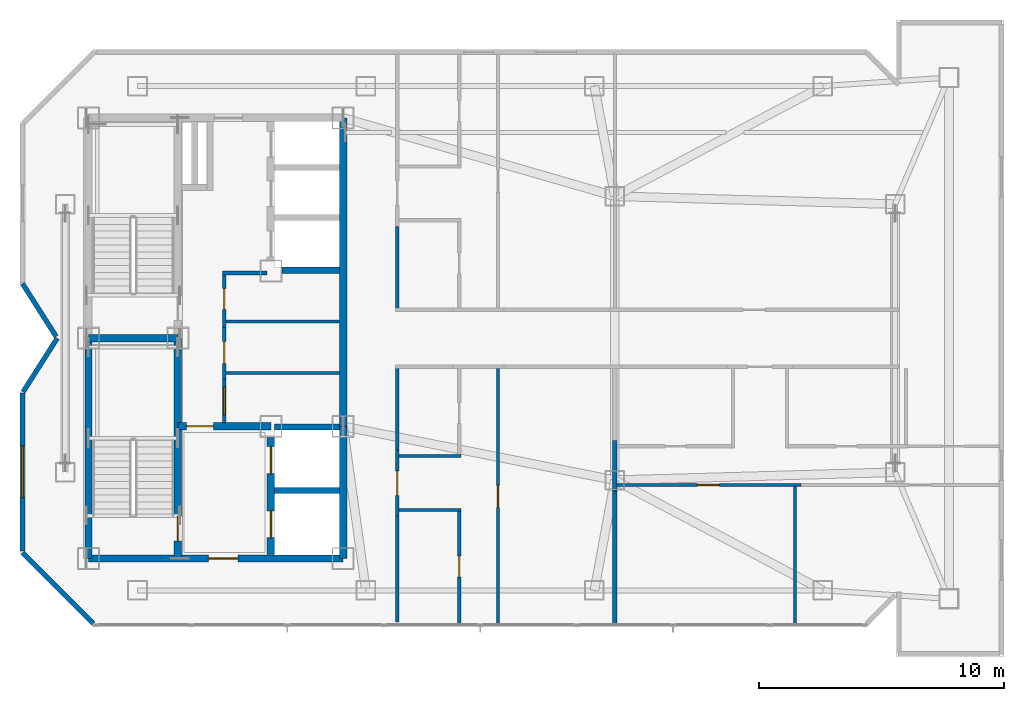
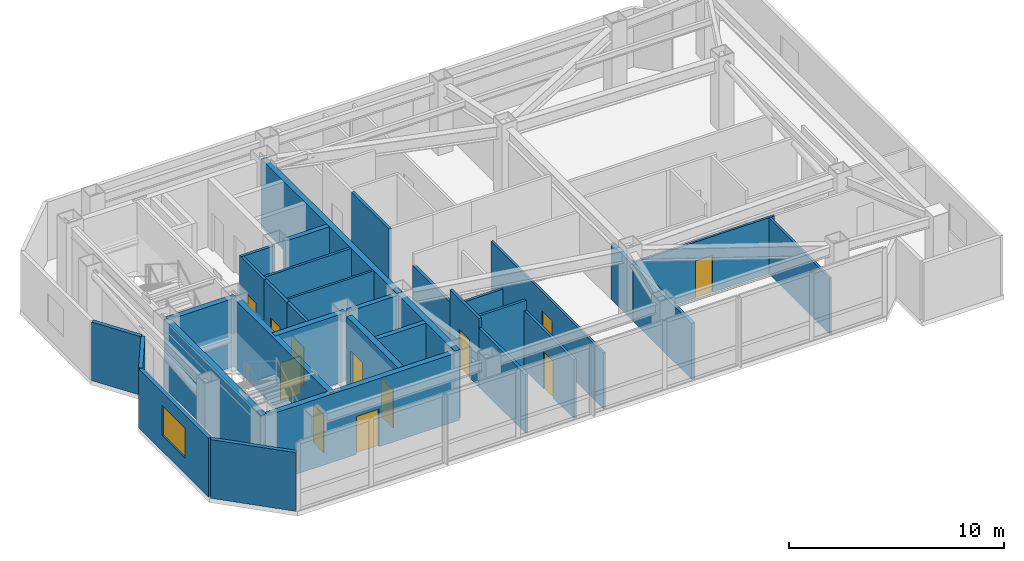
# One storey, part 9 of 12: 33 walls, 12 doors, 1 window, 13 openings.
"""IFC4 building model written with IfcOpenShell, lengths in metres."""

import ifcopenshell
import ifcopenshell.guid

model = None  # the IFC model being written
_history = None  # IfcOwnerHistory: only IFC2X3 demands one
_inside = {}  # id of a spatial element -> (the spatial element, [elements in it])
_under = {}  # id of a project, library or spatial element -> (it, [spatial elements below it])
_declared = {}  # id of a project -> (the project, [libraries it declares])
_typed = {}  # id of a type object -> (the type object, [elements of that type])
_made_of = {}  # id of a material, layer set ... -> (it, [elements and type objects made of it])


def new_model(schema):
    """Start an empty IFC model of exactly this schema.

    Asked for "IFC4X3", IfcOpenShell would pick the latest addendum, in which some entities
    have other attributes; the version numbers below select the first issue.
    IFC2X3 requires an IfcOwnerHistory on every rooted entity: one is made here for all.
    """
    global model, _history
    if schema == "IFC4X3":
        model = ifcopenshell.file(schema_version=(4, 3, 0, 0))
    else:
        model = ifcopenshell.file(schema=schema)
    _inside.clear()
    _under.clear()
    _declared.clear()
    _typed.clear()
    _made_of.clear()
    _history = None
    if model.schema == "IFC2X3":
        org = make("IfcOrganization", Name="unknown")
        user = make(
            "IfcPersonAndOrganization",
            ThePerson=make("IfcPerson", FamilyName="unknown"),
            TheOrganization=org,
        )
        app = make(
            "IfcApplication",
            ApplicationDeveloper=org,
            Version="unknown",
            ApplicationFullName="unknown",
            ApplicationIdentifier="unknown",
        )
        _history = make(
            "IfcOwnerHistory",
            OwningUser=user,
            OwningApplication=app,
            ChangeAction="ADDED",
            CreationDate=0,
        )
    return model


def make(cls, **values):
    """One entity of the class cls with the attributes given. An attribute that is None is left unset."""
    return model.create_entity(
        cls, **{name: value for name, value in values.items() if value is not None}
    )


def rooted(cls, **values):
    """An entity with a GlobalId (a new one), such as an element, a storey or a relation."""
    return make(cls, GlobalId=ifcopenshell.guid.new(), OwnerHistory=_history, **values)


def si_unit(unit_type, name, prefix=None):
    """IfcSIUnit, for example si_unit("LENGTHUNIT", "METRE", prefix="MILLI")."""
    return make("IfcSIUnit", UnitType=unit_type, Prefix=prefix, Name=name)


def assignment(units):
    """IfcUnitAssignment: the units of a project."""
    return None if units is None else make("IfcUnitAssignment", Units=units)


def point(xyz):
    """IfcCartesianPoint."""
    return None if xyz is None else make("IfcCartesianPoint", Coordinates=xyz)


def direction(xyz):
    """IfcDirection."""
    return None if xyz is None else make("IfcDirection", DirectionRatios=xyz)


def frame(location, z_axis=None, x_axis=None):
    """IfcAxis2Placement3D, a coordinate frame: its origin and axes. An axis left out is left unset."""
    return make(
        "IfcAxis2Placement3D",
        Location=point(location),
        Axis=direction(z_axis),
        RefDirection=direction(x_axis),
    )


def frame_2d(location, x_axis=None):
    """IfcAxis2Placement2D, a coordinate frame in the plane: its origin and x axis."""
    return make(
        "IfcAxis2Placement2D", Location=point(location), RefDirection=direction(x_axis)
    )


def origin():
    """The frame at (0, 0, 0) with its axes left unset."""
    return frame((0.0, 0.0, 0.0))


def place(relative_to, where):
    """IfcLocalPlacement: puts the frame where relative to a parent placement (None: the world)."""
    return make(
        "IfcLocalPlacement", PlacementRelTo=relative_to, RelativePlacement=where
    )


def context(
    kind, dimensions, precision=None, world=None, true_north=None, identifier=None
):
    """IfcGeometricRepresentationContext, for example the 3D "Model" context."""
    return make(
        "IfcGeometricRepresentationContext",
        ContextIdentifier=identifier,
        ContextType=kind,
        CoordinateSpaceDimension=dimensions,
        Precision=precision,
        WorldCoordinateSystem=world,
        TrueNorth=true_north,
    )


def subcontext(parent, identifier, kind, view, scale=None):
    """IfcGeometricRepresentationSubContext, for example "Body" below "Model"."""
    return make(
        "IfcGeometricRepresentationSubContext",
        ContextIdentifier=identifier,
        ContextType=kind,
        ParentContext=parent,
        TargetScale=scale,
        TargetView=view,
    )


def project(units=None, contexts=None):
    """IfcProject with its units and contexts."""
    return rooted(
        "IfcProject",
        Name="project",
        RepresentationContexts=contexts,
        UnitsInContext=assignment(units),
    )


def spatial(cls, under=None, at=None, **own):
    """A site, building, storey or space (cls), placed at a placement, below another one or the project."""
    s = rooted(cls, ObjectPlacement=at, **own)
    if under is not None:
        _under.setdefault(under.id(), (under, []))[1].append(s)
    return s


def profile(cls, at=None, kind="AREA", **sizes):
    """A parametric profile (cls). Its sizes go by their IFC names, for example OverallWidth=200.0."""
    return make(cls, ProfileType=kind, Position=at, **sizes)


def rectangle(**sizes):
    """IfcRectangleProfileDef."""
    return profile("IfcRectangleProfileDef", **sizes)


def extrude(swept, where, along, depth):
    """IfcExtrudedAreaSolid: the profile swept, set in the frame where, extruded along a direction by depth."""
    return make(
        "IfcExtrudedAreaSolid",
        SweptArea=swept,
        Position=where,
        ExtrudedDirection=direction(along),
        Depth=depth,
    )


def shape(context_of_items, identifier, shape_type, items):
    """IfcShapeRepresentation: the items that make up one representation, for example the "Body"."""
    return make(
        "IfcShapeRepresentation",
        ContextOfItems=context_of_items,
        RepresentationIdentifier=identifier,
        RepresentationType=shape_type,
        Items=items,
    )


def material(Name=None, Category=None):
    """IfcMaterial."""
    return make("IfcMaterial", Name=Name, Category=Category)


def layer(
    of_material, thickness, ventilated=None, Name=None, Category=None, Priority=None
):
    """IfcMaterialLayer: one layer of a wall or slab, of a material (None: an air gap)."""
    return make(
        "IfcMaterialLayer",
        Material=of_material,
        LayerThickness=thickness,
        IsVentilated=ventilated,
        Name=Name,
        Category=Category,
        Priority=Priority,
    )


def layer_set(layers, Name=None):
    """IfcMaterialLayerSet."""
    return make("IfcMaterialLayerSet", MaterialLayers=layers, LayerSetName=Name)


def made_of(thing, what):
    """Note that an element or type object is made of a material, layer set ...; save() writes the relation."""
    if what is not None:
        _made_of.setdefault(what.id(), (what, []))[1].append(thing)
    return thing


def type_object(cls, material=None, **own):
    """A type object (cls), such as IfcWallType, which elements share."""
    return made_of(rooted(cls, **own), material)


def element(
    cls,
    number,
    at=None,
    inside=None,
    cuts=None,
    type_object=None,
    material=None,
    context=None,
    identifier="Body",
    shape_type=None,
    held_by="IfcProductDefinitionShape",
    body=None,
    shapes=None,
    **own,
):
    """One element of the class cls, such as IfcWall. Its Tag is "e" and its number.

    at: its placement. inside: the storey or other place that contains it. cuts: it is an
    opening in that element (IfcRelVoidsElement). A single representation is given by context,
    identifier, shape_type and body (its items); several are given by shapes. held_by: the class
    of the entity that holds the representations. save() writes the other relations.
    """
    e = rooted(cls, Tag="e%d" % number, ObjectPlacement=at, **own)
    if body is not None:
        shapes = [shape(context, identifier, shape_type, body)]
    if shapes is not None:
        e.Representation = make(held_by, Representations=shapes)
    if inside is not None:
        _inside.setdefault(inside.id(), (inside, []))[1].append(e)
    if cuts is not None:
        rooted(
            "IfcRelVoidsElement", RelatingBuildingElement=cuts, RelatedOpeningElement=e
        )
    if type_object is not None:
        _typed.setdefault(type_object.id(), (type_object, []))[1].append(e)
    return made_of(e, material)


def fill(opening, filler):
    """IfcRelFillsElement: the door or window that sits in an opening."""
    return rooted(
        "IfcRelFillsElement",
        RelatingOpeningElement=opening,
        RelatedBuildingElement=filler,
    )


def aggregate(whole, parts):
    """IfcRelAggregates: a whole, such as a stair, and the parts it consists of."""
    return rooted("IfcRelAggregates", RelatingObject=whole, RelatedObjects=parts)


def save(model, path):
    """Write the relations noted so far, then the file.

    IfcRelAggregates (storeys below a building ...), IfcRelContainedInSpatialStructure (elements
    in a storey), IfcRelDefinesByType, IfcRelAssociatesMaterial and IfcRelDeclares: one each for
    every whole, place, type object, material and project.
    """
    for whole, parts in _under.values():
        aggregate(whole, parts)
    for where, things in _inside.values():
        rooted(
            "IfcRelContainedInSpatialStructure",
            RelatedElements=things,
            RelatingStructure=where,
        )
    for kind, things in _typed.values():
        rooted("IfcRelDefinesByType", RelatedObjects=things, RelatingType=kind)
    for what, things in _made_of.values():
        rooted("IfcRelAssociatesMaterial", RelatedObjects=things, RelatingMaterial=what)
    for by, libraries in _declared.values():
        rooted("IfcRelDeclares", RelatingContext=by, RelatedDefinitions=libraries)
    model.write(path)


model = new_model("IFC4")

# Units and contexts
model_context = context("Model", 3, precision=1e-05, world=origin(), true_north=direction((0.0, 1.0)))
body_context = subcontext(model_context, "Body", "Model", "MODEL_VIEW")
ifc_project = project(units=[si_unit("LENGTHUNIT", "METRE"), si_unit("AREAUNIT", "SQUARE_METRE"), si_unit("VOLUMEUNIT", "CUBIC_METRE"), si_unit("PLANEANGLEUNIT", "RADIAN"), si_unit("MASSUNIT", "GRAM", prefix="KILO")], contexts=[model_context])

# Site, building, storey
site_placement = place(None, origin())
site = spatial("IfcSite", under=ifc_project, at=site_placement, CompositionType="ELEMENT")
building_placement = place(site_placement, origin())
building = spatial("IfcBuilding", under=site, at=building_placement, Name="Khamvora Tower", CompositionType="ELEMENT")
storey_placement = place(building_placement, frame((0.0, 0.0, 298.85009765625)))
storey = spatial("IfcBuildingStorey", under=building, at=storey_placement, Name="L76", CompositionType="ELEMENT", Elevation=298.85009765625)

# Wall
ifc_material_1 = material(Name="Concrete C50/60", Category="concrete")
ifc_layer_1 = layer(ifc_material_1, 0.300048828125)
ifc_layer_set_1 = layer_set([ifc_layer_1], Name="Concrete C50/60")
wall_type_1 = type_object("IfcWallType", Name="WAL-CORE-300", PredefinedType="SHEAR", material=ifc_layer_set_1)
wall_1_placement = place(storey_placement, frame((29.0, 19.0, 0.0), z_axis=(0.0, 0.0, 1.0), x_axis=(0.0, 1.0, 0.0)))
element("IfcWall", 1, at=wall_1_placement, inside=storey, type_object=wall_type_1, Name="L76 central core west south wall", PredefinedType="SHEAR", context=body_context, shape_type="SweptSolid", body=[
    extrude(rectangle(XDim=9.0, YDim=0.300048828125, at=frame_2d((4.5, 0.0))), origin(), (0.0, 0.0, 1.0), 3.8798828125),
])

# Wall, opening, door
wall_2_placement = place(storey_placement, frame((29.0, 19.0, 0.0), z_axis=(0.0, 0.0, 1.0), x_axis=(1.0, 0.0, 0.0)))
wall_2 = element("IfcWall", 2, at=wall_2_placement, inside=storey, type_object=wall_type_1, Name="L76 central core south wall", PredefinedType="SHEAR", context=body_context, shape_type="SweptSolid", body=[
    extrude(rectangle(XDim=10.39990234375, YDim=0.300048828125, at=frame_2d((5.199951171875, 0.0))), origin(), (0.0, 0.0, 1.0), 3.8798828125),
])
opening_1_placement = place(wall_2_placement, frame((4.89990234375, 0.0, 0.0)))
opening_1 = element("IfcOpeningElement", 3, at=opening_1_placement, cuts=wall_2, Name="Opening D-CR1", PredefinedType="OPENING", context=body_context, shape_type="SweptSolid", body=[
    extrude(rectangle(XDim=1.199951171875, YDim=2.14990234375, at=frame_2d((0.60009765625, 1.074951171875))), frame((0.0, 0.159912109375, 0.0), z_axis=(0.0, -1.0, 0.0), x_axis=(1.0, 0.0, 0.0)), (0.0, 0.0, 1.0), 0.320068359375),
])
ifc_material_2 = material(Name="Powder-Coated Steel and Hardwood Leaf", Category="steel")
door_type_1 = type_object("IfcDoorType", Name="DOR-CORR-1200", OperationType="NOTDEFINED", PredefinedType="DOOR", material=ifc_material_2)
door_1_placement = place(opening_1_placement, origin())
door_1 = element("IfcDoor", 4, at=door_1_placement, inside=storey, type_object=door_type_1, Name="L76 south core lobby to corridor fire door", OperationType="SINGLE_SWING_RIGHT", OverallHeight=2.14990234375, OverallWidth=1.199951171875, PredefinedType="DOOR", context=body_context, shape_type="SweptSolid", body=[
    extrude(rectangle(XDim=1.199951171875, YDim=2.14990234375, at=frame_2d((0.60009765625, 1.074951171875))), frame((0.0, 0.02490234375, 0.0), z_axis=(0.0, -1.0, 0.0), x_axis=(1.0, 0.0, 0.0)), (0.0, 0.0, 1.0), 0.050048828125),
])
fill(opening_1, door_1)

# Walls
wall_3_placement = place(storey_placement, frame((39.39990234375, 19.0, 0.0), z_axis=(0.0, 0.0, 1.0), x_axis=(0.0, 1.0, 0.0)))
element("IfcWall", 5, at=wall_3_placement, inside=storey, type_object=wall_type_1, Name="L76 central core east south wall", PredefinedType="SHEAR", context=body_context, shape_type="SweptSolid", body=[
    extrude(rectangle(XDim=5.39990234375, YDim=0.300048828125, at=frame_2d((2.699951171875, 0.0))), origin(), (0.0, 0.0, 1.0), 3.8798828125),
])
wall_4_placement = place(storey_placement, frame((39.39990234375, 24.39990234375, 0.0), z_axis=(0.0, 0.0, 1.0), x_axis=(0.0, 1.0, 0.0)))
element("IfcWall", 6, at=wall_4_placement, inside=storey, type_object=wall_type_1, Name="L76 central core east north wall", PredefinedType="SHEAR", context=body_context, shape_type="SweptSolid", body=[
    extrude(rectangle(XDim=12.60009765625, YDim=0.300048828125, at=frame_2d((6.300048828125, 0.0))), origin(), (0.0, 0.0, 1.0), 3.8798828125),
])

# Wall, opening, door
wall_5_placement = place(storey_placement, frame((32.64990234375, 19.0, 0.0), z_axis=(0.0, 0.0, 1.0), x_axis=(0.0, 1.0, 0.0)))
wall_5 = element("IfcWall", 7, at=wall_5_placement, inside=storey, type_object=wall_type_1, Name="L76 central core stair south spine wall", PredefinedType="SHEAR", context=body_context, shape_type="SweptSolid", body=[
    extrude(rectangle(XDim=9.0, YDim=0.300048828125, at=frame_2d((4.5, 0.0))), origin(), (0.0, 0.0, 1.0), 3.8798828125),
])
opening_2_placement = place(wall_5_placement, frame((0.719970703125, 0.0, 0.0)))
opening_2 = element("IfcOpeningElement", 8, at=opening_2_placement, cuts=wall_5, Name="Opening D-ST1", PredefinedType="OPENING", context=body_context, shape_type="SweptSolid", body=[
    extrude(rectangle(XDim=1.0, YDim=2.14990234375, at=frame_2d((0.5, 1.074951171875))), frame((0.0, 0.159912109375, 0.0), z_axis=(0.0, -1.0, 0.0), x_axis=(1.0, 0.0, 0.0)), (0.0, 0.0, 1.0), 0.320068359375),
])
door_type_2 = type_object("IfcDoorType", Name="DOR-STAIR-1000", OperationType="NOTDEFINED", PredefinedType="DOOR", material=ifc_material_2)
door_2_placement = place(opening_2_placement, origin())
door_2 = element("IfcDoor", 9, at=door_2_placement, inside=storey, type_object=door_type_2, Name="L76 exit stair ST-01 fire door", OperationType="SINGLE_SWING_RIGHT", OverallHeight=2.14990234375, OverallWidth=1.0, PredefinedType="DOOR", context=body_context, shape_type="SweptSolid", body=[
    extrude(rectangle(XDim=1.0, YDim=2.14990234375, at=frame_2d((0.5, 1.074951171875))), frame((0.0, 0.02490234375, 0.0), z_axis=(0.0, -1.0, 0.0), x_axis=(1.0, 0.0, 0.0)), (0.0, 0.0, 1.0), 0.050048828125),
])
fill(opening_2, door_2)

# Wall
wall_6_placement = place(storey_placement, frame((29.0, 28.0, 0.0), z_axis=(0.0, 0.0, 1.0), x_axis=(1.0, 0.0, 0.0)))
element("IfcWall", 10, at=wall_6_placement, inside=storey, type_object=wall_type_1, Name="L76 central core stair cross wall", PredefinedType="SHEAR", context=body_context, shape_type="SweptSolid", body=[
    extrude(rectangle(XDim=3.64990234375, YDim=0.300048828125, at=frame_2d((1.824951171875, 0.0))), origin(), (0.0, 0.0, 1.0), 3.8798828125),
])

# Wall, opening, door
wall_7_placement = place(storey_placement, frame((32.64990234375, 24.39990234375, 0.0), z_axis=(0.0, 0.0, 1.0), x_axis=(1.0, 0.0, 0.0)))
wall_7 = element("IfcWall", 11, at=wall_7_placement, inside=storey, type_object=wall_type_1, Name="L76 central core firefighting lobby north wall", PredefinedType="SHEAR", context=body_context, shape_type="SweptSolid", body=[
    extrude(rectangle(XDim=3.800048828125, YDim=0.300048828125, at=frame_2d((1.89990234375, 0.0))), origin(), (0.0, 0.0, 1.0), 3.8798828125),
])
opening_3_placement = place(wall_7_placement, frame((0.35009765625, 0.0, 0.0)))
opening_3 = element("IfcOpeningElement", 12, at=opening_3_placement, cuts=wall_7, Name="Opening D-FF1", PredefinedType="OPENING", context=body_context, shape_type="SweptSolid", body=[
    extrude(rectangle(XDim=1.10009765625, YDim=2.14990234375, at=frame_2d((0.550048828125, 1.074951171875))), frame((0.0, 0.159912109375, 0.0), z_axis=(0.0, -1.0, 0.0), x_axis=(1.0, 0.0, 0.0)), (0.0, 0.0, 1.0), 0.320068359375),
])
door_type_3 = type_object("IfcDoorType", Name="DOR-FFLOB-1100", OperationType="NOTDEFINED", PredefinedType="DOOR", material=ifc_material_2)
door_3_placement = place(opening_3_placement, origin())
door_3 = element("IfcDoor", 13, at=door_3_placement, inside=storey, type_object=door_type_3, Name="L76 firefighting lobby smoke-seal fire door", OperationType="SINGLE_SWING_LEFT", OverallHeight=2.14990234375, OverallWidth=1.10009765625, PredefinedType="DOOR", context=body_context, shape_type="SweptSolid", body=[
    extrude(rectangle(XDim=1.10009765625, YDim=2.14990234375, at=frame_2d((0.550048828125, 1.074951171875))), frame((0.0, 0.02490234375, 0.0), z_axis=(0.0, -1.0, 0.0), x_axis=(1.0, 0.0, 0.0)), (0.0, 0.0, 1.0), 0.050048828125),
])
fill(opening_3, door_3)

# Wall, openings, doors
wall_8_placement = place(storey_placement, frame((36.449951171875, 19.154052734375, 0.0), z_axis=(0.0, 0.0, 1.0), x_axis=(0.0, 1.0, 0.0)))
wall_8 = element("IfcWall", 14, at=wall_8_placement, inside=storey, type_object=wall_type_1, Name="L76 central core lift bank south wall", PredefinedType="SHEAR", context=body_context, shape_type="SweptSolid", body=[
    extrude(rectangle(XDim=4.7958984375, YDim=0.300048828125, at=frame_2d((2.39794921875, 0.0))), origin(), (0.0, 0.0, 1.0), 3.8798828125),
])
opening_4_placement = place(wall_8_placement, frame((0.696044921875, 0.0, 0.0)))
opening_4 = element("IfcOpeningElement", 15, at=opening_4_placement, cuts=wall_8, Name="Opening LD-FFL", PredefinedType="OPENING", context=body_context, shape_type="SweptSolid", body=[
    extrude(rectangle(XDim=1.10009765625, YDim=2.14990234375, at=frame_2d((0.550048828125, 1.074951171875))), frame((0.0, 0.159912109375, 0.0), z_axis=(0.0, -1.0, 0.0), x_axis=(1.0, 0.0, 0.0)), (0.0, 0.0, 1.0), 0.320068359375),
])
opening_5_placement = place(wall_8_placement, frame((3.31591796875, 0.0, 0.0)))
opening_5 = element("IfcOpeningElement", 16, at=opening_5_placement, cuts=wall_8, Name="Opening LD-FFL", PredefinedType="OPENING", context=body_context, shape_type="SweptSolid", body=[
    extrude(rectangle(XDim=1.10009765625, YDim=2.14990234375, at=frame_2d((0.550048828125, 1.074951171875))), frame((0.0, 0.159912109375, 0.0), z_axis=(0.0, -1.0, 0.0), x_axis=(1.0, 0.0, 0.0)), (0.0, 0.0, 1.0), 0.320068359375),
])
door_type_4 = type_object("IfcDoorType", Name="DOR-LIFT-1100", OperationType="SLIDING_TO_LEFT", PredefinedType="DOOR", material=ifc_material_2)
door_4_placement = place(opening_4_placement, origin())
door_4 = element("IfcDoor", 17, at=door_4_placement, inside=storey, type_object=door_type_4, Name="L76 lift landing sliding door FFL-01", OperationType="SLIDING_TO_LEFT", OverallHeight=2.14990234375, OverallWidth=1.10009765625, PredefinedType="DOOR", context=body_context, shape_type="SweptSolid", body=[
    extrude(rectangle(XDim=1.10009765625, YDim=2.14990234375, at=frame_2d((0.550048828125, 1.074951171875))), frame((0.0, 0.02490234375, 0.0), z_axis=(0.0, -1.0, 0.0), x_axis=(1.0, 0.0, 0.0)), (0.0, 0.0, 1.0), 0.050048828125),
])
fill(opening_4, door_4)
door_5_placement = place(opening_5_placement, origin())
door_5 = element("IfcDoor", 18, at=door_5_placement, inside=storey, type_object=door_type_4, Name="L76 lift landing sliding door FFL-02", OperationType="SLIDING_TO_LEFT", OverallHeight=2.14990234375, OverallWidth=1.10009765625, PredefinedType="DOOR", context=body_context, shape_type="SweptSolid", body=[
    extrude(rectangle(XDim=1.10009765625, YDim=2.14990234375, at=frame_2d((0.550048828125, 1.074951171875))), frame((0.0, 0.02490234375, 0.0), z_axis=(0.0, -1.0, 0.0), x_axis=(1.0, 0.0, 0.0)), (0.0, 0.0, 1.0), 0.050048828125),
])
fill(opening_5, door_5)

# Wall
ifc_material_3 = material(Name="Fire-Rated Drywall and Steel Stud", Category="steel")
ifc_layer_2 = layer(ifc_material_3, 0.14990234375)
ifc_layer_set_2 = layer_set([ifc_layer_2], Name="Fire-Rated Drywall and Steel Stud")
wall_type_2 = type_object("IfcWallType", Name="WAL-CORR-150", PredefinedType="STANDARD", material=ifc_layer_set_2)
wall_9_placement = place(storey_placement, frame((36.300048828125, 30.6650390625, 0.0), z_axis=(0.0, 0.0, 1.0), x_axis=(-1.0, 0.0, 0.0)))
element("IfcWall", 19, at=wall_9_placement, inside=storey, type_object=wall_type_2, Name="L76 interior partition wall 001", PredefinedType="STANDARD", context=body_context, shape_type="SweptSolid", body=[
    extrude(rectangle(XDim=1.820068359375, YDim=0.14990234375, at=frame_2d((0.91015625, 0.0))), origin(), (0.0, 0.0, 1.0), 3.8798828125),
])

# Wall, opening, door
wall_10_placement = place(storey_placement, frame((34.544921875, 30.72998046875, 0.0), z_axis=(0.0, 0.0, 1.0), x_axis=(0.0, -1.0, 0.0)))
wall_10 = element("IfcWall", 20, at=wall_10_placement, inside=storey, type_object=wall_type_2, Name="L76 interior partition wall 002", PredefinedType="STANDARD", context=body_context, shape_type="SweptSolid", body=[
    extrude(rectangle(XDim=2.2939453125, YDim=0.14990234375, at=frame_2d((1.14697265625, 0.0))), origin(), (0.0, 0.0, 1.0), 3.8798828125),
])
opening_6_placement = place(wall_10_placement, frame((0.700927734375, 0.0, 0.0)))
opening_6 = element("IfcOpeningElement", 21, at=opening_6_placement, cuts=wall_10, Name="Opening D-WC1", PredefinedType="OPENING", context=body_context, shape_type="SweptSolid", body=[
    extrude(rectangle(XDim=0.85009765625, YDim=2.10009765625, at=frame_2d((0.425048828125, 1.050048828125))), frame((0.0, 0.0849609375, 0.0), z_axis=(0.0, -1.0, 0.0), x_axis=(1.0, 0.0, 0.0)), (0.0, 0.0, 1.0), 0.169921875),
])
door_type_5 = type_object("IfcDoorType", Name="DOR-WET-850", OperationType="NOTDEFINED", PredefinedType="DOOR", material=ifc_material_2)
door_6_placement = place(opening_6_placement, origin())
door_6 = element("IfcDoor", 22, at=door_6_placement, inside=storey, type_object=door_type_5, Name="L76 interior door PHL-CS1", OperationType="SINGLE_SWING_RIGHT", OverallHeight=2.10009765625, OverallWidth=0.85009765625, PredefinedType="DOOR", context=body_context, shape_type="SweptSolid", body=[
    extrude(rectangle(XDim=0.85009765625, YDim=2.10009765625, at=frame_2d((0.425048828125, 1.050048828125))), frame((0.0, 0.02490234375, 0.0), z_axis=(0.0, -1.0, 0.0), x_axis=(1.0, 0.0, 0.0)), (0.0, 0.0, 1.0), 0.050048828125),
])
fill(opening_6, door_6)

wall_11_placement = place(storey_placement, frame((34.544921875, 28.43603515625, 0.0), z_axis=(0.0, 0.0, 1.0), x_axis=(0.0, -1.0, 0.0)))
wall_11 = element("IfcWall", 23, at=wall_11_placement, inside=storey, type_object=wall_type_2, Name="L76 interior partition wall 003", PredefinedType="STANDARD", context=body_context, shape_type="SweptSolid", body=[
    extrude(rectangle(XDim=2.10009765625, YDim=0.14990234375, at=frame_2d((1.050048828125, 0.0))), origin(), (0.0, 0.0, 1.0), 3.8798828125),
])
opening_7_placement = place(wall_11_placement, frame((0.5791015625, 0.0, 0.0)))
opening_7 = element("IfcOpeningElement", 24, at=opening_7_placement, cuts=wall_11, Name="Opening D-RM1", PredefinedType="OPENING", context=body_context, shape_type="SweptSolid", body=[
    extrude(rectangle(XDim=0.89990234375, YDim=2.10009765625, at=frame_2d((0.449951171875, 1.050048828125))), frame((0.0, 0.0849609375, 0.0), z_axis=(0.0, -1.0, 0.0), x_axis=(1.0, 0.0, 0.0)), (0.0, 0.0, 1.0), 0.169921875),
])
door_type_6 = type_object("IfcDoorType", Name="DOR-ROOM-900", OperationType="NOTDEFINED", PredefinedType="DOOR", material=ifc_material_2)
door_7_placement = place(opening_7_placement, origin())
door_7 = element("IfcDoor", 25, at=door_7_placement, inside=storey, type_object=door_type_6, Name="L76 interior door PHL-CS2", OperationType="SINGLE_SWING_LEFT", OverallHeight=2.10009765625, OverallWidth=0.89990234375, PredefinedType="DOOR", context=body_context, shape_type="SweptSolid", body=[
    extrude(rectangle(XDim=0.89990234375, YDim=2.10009765625, at=frame_2d((0.449951171875, 1.050048828125))), frame((0.0, 0.02490234375, 0.0), z_axis=(0.0, -1.0, 0.0), x_axis=(1.0, 0.0, 0.0)), (0.0, 0.0, 1.0), 0.050048828125),
])
fill(opening_7, door_7)

wall_12_placement = place(storey_placement, frame((34.544921875, 26.3359375, 0.0), z_axis=(0.0, 0.0, 1.0), x_axis=(0.0, -1.0, 0.0)))
wall_12 = element("IfcWall", 26, at=wall_12_placement, inside=storey, type_object=wall_type_2, Name="L76 interior partition wall 004", PredefinedType="STANDARD", context=body_context, shape_type="SweptSolid", body=[
    extrude(rectangle(XDim=1.7919921875, YDim=0.14990234375, at=frame_2d((0.89599609375, 0.0))), origin(), (0.0, 0.0, 1.0), 3.8798828125),
])
opening_8_placement = place(wall_12_placement, frame((0.321044921875, 0.0, 0.0)))
opening_8 = element("IfcOpeningElement", 27, at=opening_8_placement, cuts=wall_12, Name="Opening D-SC1", PredefinedType="OPENING", context=body_context, shape_type="SweptSolid", body=[
    extrude(rectangle(XDim=1.14990234375, YDim=2.199951171875, at=frame_2d((0.574951171875, 1.10009765625))), frame((0.0, 0.0849609375, 0.0), z_axis=(0.0, -1.0, 0.0), x_axis=(1.0, 0.0, 0.0)), (0.0, 0.0, 1.0), 0.169921875),
])
door_type_7 = type_object("IfcDoorType", Name="DOR-SCHL-1150", OperationType="NOTDEFINED", PredefinedType="DOOR", material=ifc_material_2)
door_8_placement = place(opening_8_placement, origin())
door_8 = element("IfcDoor", 28, at=door_8_placement, inside=storey, type_object=door_type_7, Name="L76 interior door PHL-CS3", OperationType="SINGLE_SWING_RIGHT", OverallHeight=2.199951171875, OverallWidth=1.14990234375, PredefinedType="DOOR", context=body_context, shape_type="SweptSolid", body=[
    extrude(rectangle(XDim=1.14990234375, YDim=2.199951171875, at=frame_2d((0.574951171875, 1.10009765625))), frame((0.0, 0.02490234375, 0.0), z_axis=(0.0, -1.0, 0.0), x_axis=(1.0, 0.0, 0.0)), (0.0, 0.0, 1.0), 0.050048828125),
])
fill(opening_8, door_8)

wall_13_placement = place(storey_placement, frame((41.614990234375, 23.43310546875, 0.0), z_axis=(0.0, 0.0, 1.0), x_axis=(0.0, -1.0, 0.0)))
wall_13 = element("IfcWall", 29, at=wall_13_placement, inside=storey, type_object=wall_type_2, Name="L76 interior partition wall 009", PredefinedType="STANDARD", context=body_context, shape_type="SweptSolid", body=[
    extrude(rectangle(XDim=2.697998046875, YDim=0.14990234375, at=frame_2d((1.34912109375, 0.0))), origin(), (0.0, 0.0, 1.0), 3.8798828125),
])
opening_9_placement = place(wall_13_placement, frame((0.84912109375, 0.0, 0.0)))
opening_9 = element("IfcOpeningElement", 30, at=opening_9_placement, cuts=wall_13, Name="Opening D-U1", PredefinedType="OPENING", context=body_context, shape_type="SweptSolid", body=[
    extrude(rectangle(XDim=1.0, YDim=2.14990234375, at=frame_2d((0.5, 1.074951171875))), frame((0.0, 0.0849609375, 0.0), z_axis=(0.0, -1.0, 0.0), x_axis=(1.0, 0.0, 0.0)), (0.0, 0.0, 1.0), 0.169921875),
])
door_type_8 = type_object("IfcDoorType", Name="DOR-UNIT-1000", OperationType="NOTDEFINED", PredefinedType="DOOR", material=ifc_material_2)
door_9_placement = place(opening_9_placement, origin())
door_9 = element("IfcDoor", 31, at=door_9_placement, inside=storey, type_object=door_type_8, Name="L76 interior door COR-76CH", OperationType="SINGLE_SWING_RIGHT", OverallHeight=2.14990234375, OverallWidth=1.0, PredefinedType="DOOR", context=body_context, shape_type="SweptSolid", body=[
    extrude(rectangle(XDim=1.0, YDim=2.14990234375, at=frame_2d((0.5, 1.074951171875))), frame((0.0, 0.02490234375, 0.0), z_axis=(0.0, -1.0, 0.0), x_axis=(1.0, 0.0, 0.0)), (0.0, 0.0, 1.0), 0.050048828125),
])
fill(opening_9, door_9)

# Walls
wall_14_placement = place(storey_placement, frame((41.614990234375, 26.89794921875, 0.0), z_axis=(0.0, 0.0, 1.0), x_axis=(0.0, -1.0, 0.0)))
element("IfcWall", 32, at=wall_14_placement, inside=storey, type_object=wall_type_2, Name="L76 interior partition wall 011", PredefinedType="STANDARD", context=body_context, shape_type="SweptSolid", body=[
    extrude(rectangle(XDim=3.46484375, YDim=0.14990234375, at=frame_2d((1.732421875, 0.0))), origin(), (0.0, 0.0, 1.0), 3.1748046875),
])
wall_15_placement = place(storey_placement, frame((41.614990234375, 20.735107421875, 0.0), z_axis=(0.0, 0.0, 1.0), x_axis=(0.0, -1.0, 0.0)))
element("IfcWall", 33, at=wall_15_placement, inside=storey, type_object=wall_type_2, Name="L76 interior partition wall 012", PredefinedType="STANDARD", context=body_context, shape_type="SweptSolid", body=[
    extrude(rectangle(XDim=4.322998046875, YDim=0.14990234375, at=frame_2d((2.16162109375, 0.0))), origin(), (0.0, 0.0, 1.0), 3.3369140625),
])
wall_16_placement = place(storey_placement, frame((41.614990234375, 32.56689453125, 0.0), z_axis=(0.0, 0.0, 1.0), x_axis=(0.0, -1.0, 0.0)))
element("IfcWall", 34, at=wall_16_placement, inside=storey, type_object=wall_type_2, Name="L76 interior partition wall 020", PredefinedType="STANDARD", context=body_context, shape_type="SweptSolid", body=[
    extrude(rectangle(XDim=3.46484375, YDim=0.14990234375, at=frame_2d((1.732421875, 0.0))), origin(), (0.0, 0.0, 1.0), 3.8798828125),
])
ifc_material_4 = material(Name="Acoustic Double-Stud Fire Wall", Category="gypsum")
ifc_layer_3 = layer(ifc_material_4, 0.179931640625)
ifc_layer_set_3 = layer_set([ifc_layer_3], Name="Acoustic Double-Stud Fire Wall")
wall_type_3 = type_object("IfcWallType", Name="WAL-CORR-180", PredefinedType="STANDARD", material=ifc_layer_set_3)
wall_17_placement = place(storey_placement, frame((50.4951171875, 23.8310546875, 0.0), z_axis=(0.0, 0.0, 1.0), x_axis=(0.0, -1.0, 0.0)))
element("IfcWall", 35, at=wall_17_placement, inside=storey, type_object=wall_type_3, Name="L76 interior partition wall 029", PredefinedType="STANDARD", context=body_context, shape_type="SweptSolid", body=[
    extrude(rectangle(XDim=2.069091796875, YDim=0.179931640625, at=frame_2d((1.03466796875, 0.0))), origin(), (0.0, 0.0, 1.0), 3.1748046875),
])
wall_18_placement = place(storey_placement, frame((50.4951171875, 21.761962890625, 0.0), z_axis=(0.0, 0.0, 1.0), x_axis=(0.0, -1.0, 0.0)))
element("IfcWall", 36, at=wall_18_placement, inside=storey, type_object=wall_type_3, Name="L76 interior partition wall 031", PredefinedType="STANDARD", context=body_context, shape_type="SweptSolid", body=[
    extrude(rectangle(XDim=5.451904296875, YDim=0.179931640625, at=frame_2d((2.72607421875, 0.0))), origin(), (0.0, 0.0, 1.0), 3.1748046875),
])
ifc_material_5 = material(Name="Precast concrete C40/50", Category="concrete")
ifc_layer_4 = layer(ifc_material_5, 0.199951171875)
ifc_layer_set_4 = layer_set([ifc_layer_4], Name="Precast concrete C40/50")
wall_type_4 = type_object("IfcWallType", Name="WAL-EXT-200", PredefinedType="STANDARD", material=ifc_layer_set_4)
wall_19_placement = place(storey_placement, frame((29.196044921875, 16.344970703125, 0.0), z_axis=(0.0, 0.0, 1.0), x_axis=(-0.707106781187, 0.707106781187, 0.0)))
element("IfcWall", 37, at=wall_19_placement, inside=storey, type_object=wall_type_4, Name="L76 exterior facade wall 02.1", PredefinedType="STANDARD", context=body_context, shape_type="SweptSolid", body=[
    extrude(rectangle(XDim=4.095458984375, YDim=0.199951171875, at=frame_2d((2.0478515625, 0.0))), origin(), (0.0, 0.0, 1.0), 3.329833984375),
])

# Wall, opening, window
wall_20_placement = place(storey_placement, frame((26.300048828125, 19.303955078125, 0.0), z_axis=(0.0, 0.0, 1.0), x_axis=(0.0, 1.0, 0.0)))
wall_20 = element("IfcWall", 38, at=wall_20_placement, inside=storey, type_object=wall_type_4, Name="L76 exterior facade wall 03.1", PredefinedType="STANDARD", context=body_context, shape_type="SweptSolid", body=[
    extrude(rectangle(XDim=6.467041015625, YDim=0.199951171875, at=frame_2d((3.2333984375, 0.0))), origin(), (0.0, 0.0, 1.0), 3.329833984375),
])
opening_10_placement = place(wall_20_placement, frame((2.18408203125, 0.0, 0.89990234375)))
opening_10 = element("IfcOpeningElement", 39, at=opening_10_placement, cuts=wall_20, Name="Opening WN-05", PredefinedType="OPENING", context=body_context, shape_type="SweptSolid", body=[
    extrude(rectangle(XDim=2.10009765625, YDim=1.699951171875, at=frame_2d((1.050048828125, 0.85009765625))), frame((0.0, 0.10986328125, 0.0), z_axis=(0.0, -1.0, 0.0), x_axis=(1.0, 0.0, 0.0)), (0.0, 0.0, 1.0), 0.219970703125),
])
ifc_material_6 = material(Name="Low-E Laminated Double Glazing", Category="glass")
window_type = type_object("IfcWindowType", Name="WIN-VIS-2100x1700", PartitioningType="SINGLE_PANEL", PredefinedType="WINDOW", material=ifc_material_6)
window_placement = place(opening_10_placement, origin())
window = element("IfcWindow", 40, at=window_placement, inside=storey, type_object=window_type, Name="L76 vision window 03.1.01", OverallHeight=1.699951171875, OverallWidth=2.10009765625, PartitioningType="SINGLE_PANEL", PredefinedType="WINDOW", context=body_context, shape_type="SweptSolid", body=[
    extrude(rectangle(XDim=2.10009765625, YDim=1.699951171875, at=frame_2d((1.050048828125, 0.85009765625))), frame((0.0, 0.030029296875, 0.0), z_axis=(0.0, -1.0, 0.0), x_axis=(1.0, 0.0, 0.0)), (0.0, 0.0, 1.0), 0.06005859375),
])
fill(opening_10, window)

# Walls
wall_21_placement = place(storey_placement, frame((26.322998046875, 25.80810546875, 0.0), z_axis=(0.0, 0.0, 1.0), x_axis=(0.53719156007, 0.843460270428, 0.0)))
element("IfcWall", 41, at=wall_21_placement, inside=storey, type_object=wall_type_4, Name="L76 exterior facade wall 04.1", PredefinedType="STANDARD", context=body_context, shape_type="SweptSolid", body=[
    extrude(rectangle(XDim=2.5986328125, YDim=0.199951171875, at=frame_2d((1.29931640625, 0.0))), origin(), (0.0, 0.0, 1.0), 3.329833984375),
])
wall_22_placement = place(storey_placement, frame((27.675048828125, 28.068115234375, 0.0), z_axis=(0.0, 0.0, 1.0), x_axis=(-0.536844652872, 0.843681111963, 0.0)))
element("IfcWall", 42, at=wall_22_placement, inside=storey, type_object=wall_type_4, Name="L76 exterior facade wall 05.1", PredefinedType="STANDARD", context=body_context, shape_type="SweptSolid", body=[
    extrude(rectangle(XDim=2.561279296875, YDim=0.199951171875, at=frame_2d((1.28076171875, 0.0))), origin(), (0.0, 0.0, 1.0), 3.329833984375),
])
ifc_material_7 = material(Name="Gypsum Plasterboard Partition", Category="gypsum")
ifc_layer_5 = layer(ifc_material_7, 0.1201171875)
ifc_layer_set_5 = layer_set([ifc_layer_5], Name="Gypsum Plasterboard Partition")
wall_type_5 = type_object("IfcWallType", Name="WAL-PART-120", PredefinedType="PARTITIONING", material=ifc_layer_set_5)
wall_23_placement = place(storey_placement, frame((39.256103515625, 26.5849609375, 0.0), z_axis=(0.0, 0.0, 1.0), x_axis=(-1.0, 0.0, 0.0)))
element("IfcWall", 43, at=wall_23_placement, inside=storey, type_object=wall_type_5, Name="L76 interior partition wall 006", PredefinedType="PARTITIONING", context=body_context, shape_type="SweptSolid", body=[
    extrude(rectangle(XDim=4.64404296875, YDim=0.1201171875, at=frame_2d((2.322021484375, 0.0))), origin(), (0.0, 0.0, 1.0), 3.8798828125),
])

# Wall, opening, door
wall_24_placement = place(storey_placement, frame((45.72509765625, 26.77001953125, 0.0), z_axis=(0.0, 0.0, 1.0), x_axis=(0.0, -1.0, 0.0)))
wall_24 = element("IfcWall", 44, at=wall_24_placement, inside=storey, type_object=wall_type_5, Name="L76 interior partition wall 028", PredefinedType="PARTITIONING", context=body_context, shape_type="SweptSolid", body=[
    extrude(rectangle(XDim=10.4599609375, YDim=0.1201171875, at=frame_2d((5.22998046875, 0.0))), origin(), (0.0, 0.0, 1.0), 3.1748046875),
])
opening_11_placement = place(wall_24_placement, frame((4.780029296875, 0.0, 0.0)))
opening_11 = element("IfcOpeningElement", 45, at=opening_11_placement, cuts=wall_24, Name="Opening D-RM1", PredefinedType="OPENING", context=body_context, shape_type="SweptSolid", body=[
    extrude(rectangle(XDim=0.89990234375, YDim=2.10009765625, at=frame_2d((0.449951171875, 1.050048828125))), frame((0.0, 0.070068359375, 0.0), z_axis=(0.0, -1.0, 0.0), x_axis=(1.0, 0.0, 0.0)), (0.0, 0.0, 1.0), 0.14013671875),
])
door_10_placement = place(opening_11_placement, origin())
door_10 = element("IfcDoor", 46, at=door_10_placement, inside=storey, type_object=door_type_6, Name="L76 interior door 76CH-76CR1", OperationType="SINGLE_SWING_LEFT", OverallHeight=2.10009765625, OverallWidth=0.89990234375, PredefinedType="DOOR", context=body_context, shape_type="SweptSolid", body=[
    extrude(rectangle(XDim=0.89990234375, YDim=2.10009765625, at=frame_2d((0.449951171875, 1.050048828125))), frame((0.0, 0.02490234375, 0.0), z_axis=(0.0, -1.0, 0.0), x_axis=(1.0, 0.0, 0.0)), (0.0, 0.0, 1.0), 0.050048828125),
])
fill(opening_11, door_10)

wall_25_placement = place(storey_placement, frame((58.10498046875, 22.006103515625, 0.0), z_axis=(0.0, 0.0, 1.0), x_axis=(-1.0, 0.0, 0.0)))
wall_25 = element("IfcWall", 47, at=wall_25_placement, inside=storey, type_object=wall_type_5, Name="L76 interior partition wall 038", PredefinedType="PARTITIONING", context=body_context, shape_type="SweptSolid", body=[
    extrude(rectangle(XDim=7.528076171875, YDim=0.1201171875, at=frame_2d((3.76416015625, 0.0))), origin(), (0.0, 0.0, 1.0), 3.1748046875),
])
opening_12_placement = place(wall_25_placement, frame((3.3349609375, 0.0, 0.0)))
opening_12 = element("IfcOpeningElement", 48, at=opening_12_placement, cuts=wall_25, Name="Opening D-RM1", PredefinedType="OPENING", context=body_context, shape_type="SweptSolid", body=[
    extrude(rectangle(XDim=0.89990234375, YDim=2.10009765625, at=frame_2d((0.449951171875, 1.050048828125))), frame((0.0, 0.070068359375, 0.0), z_axis=(0.0, -1.0, 0.0), x_axis=(1.0, 0.0, 0.0)), (0.0, 0.0, 1.0), 0.14013671875),
])
door_11_placement = place(opening_12_placement, origin())
door_11 = element("IfcDoor", 49, at=door_11_placement, inside=storey, type_object=door_type_6, Name="L76 interior door 76DH-76DR1", OperationType="SINGLE_SWING_LEFT", OverallHeight=2.10009765625, OverallWidth=0.89990234375, PredefinedType="DOOR", context=body_context, shape_type="SweptSolid", body=[
    extrude(rectangle(XDim=0.89990234375, YDim=2.10009765625, at=frame_2d((0.449951171875, 1.050048828125))), frame((0.0, 0.02490234375, 0.0), z_axis=(0.0, -1.0, 0.0), x_axis=(1.0, 0.0, 0.0)), (0.0, 0.0, 1.0), 0.050048828125),
])
fill(opening_12, door_11)

# Walls
wall_26_placement = place(storey_placement, frame((57.85595703125, 21.951904296875, 0.0), z_axis=(0.0, 0.0, 1.0), x_axis=(0.0, -1.0, 0.0)))
element("IfcWall", 50, at=wall_26_placement, inside=storey, type_object=wall_type_5, Name="L76 interior partition wall 040", PredefinedType="PARTITIONING", context=body_context, shape_type="SweptSolid", body=[
    extrude(rectangle(XDim=5.641845703125, YDim=0.1201171875, at=frame_2d((2.82080078125, 0.0))), origin(), (0.0, 0.0, 1.0), 3.1748046875),
])
ifc_material_8 = material(Name="Concrete C40/50", Category="concrete")
ifc_layer_6 = layer(ifc_material_8, 0.25)
ifc_layer_set_6 = layer_set([ifc_layer_6], Name="Concrete C40/50")
wall_type_6 = type_object("IfcWallType", Name="WAL-PODS-250", PredefinedType="SHEAR", material=ifc_layer_set_6)
for number, where, z_axis, x_axis, name in (
    (51, (36.60400390625, 21.77490234375, 0.0), (0.0, 0.0, 1.0), (1.0, 0.0, 0.0), "L76 lift shaft divider wall FFL-01"),
    (52, (36.60400390625, 24.375, 0.0), (0.0, 0.0, 1.0), (1.0, 0.0, 0.0), "L76 lift shaft divider wall FFL-02"),
):
    element("IfcWall", number, at=place(storey_placement, frame(where, z_axis=z_axis, x_axis=x_axis)), inside=storey, type_object=wall_type_6, Name=name, PredefinedType="SHEAR", context=body_context, shape_type="SweptSolid", body=[
        extrude(rectangle(XDim=2.64208984375, YDim=0.25, at=frame_2d((1.321044921875, 0.0))), origin(), (0.0, 0.0, 1.0), 3.8798828125),
    ])
wall_27_placement = place(storey_placement, frame((36.904052734375, 30.77490234375, 0.0), z_axis=(0.0, 0.0, 1.0), x_axis=(1.0, 0.0, 0.0)))
element("IfcWall", 53, at=wall_27_placement, inside=storey, type_object=wall_type_6, Name="L76 high-rise lift shaft south enclosure wall PH-01", PredefinedType="SHEAR", context=body_context, shape_type="SweptSolid", body=[
    extrude(rectangle(XDim=2.342041015625, YDim=0.25, at=frame_2d((1.1708984375, 0.0))), origin(), (0.0, 0.0, 1.0), 3.8798828125),
])
ifc_material_9 = material(Name="Moisture-Resistant Plasterboard Partition", Category="gypsum")
ifc_layer_7 = layer(ifc_material_9, 0.135009765625)
ifc_layer_set_7 = layer_set([ifc_layer_7], Name="Moisture-Resistant Plasterboard Partition")
wall_type_7 = type_object("IfcWallType", Name="WAL-WET-135", PredefinedType="PARTITIONING", material=ifc_layer_set_7)
wall_28_placement = place(storey_placement, frame((39.256103515625, 28.68505859375, 0.0), z_axis=(0.0, 0.0, 1.0), x_axis=(-1.0, 0.0, 0.0)))
element("IfcWall", 54, at=wall_28_placement, inside=storey, type_object=wall_type_7, Name="L76 interior partition wall 005", PredefinedType="PARTITIONING", context=body_context, shape_type="SweptSolid", body=[
    extrude(rectangle(XDim=4.64404296875, YDim=0.135009765625, at=frame_2d((2.322021484375, 0.0))), origin(), (0.0, 0.0, 1.0), 3.8798828125),
])
wall_29_placement = place(storey_placement, frame((41.681884765625, 23.18408203125, 0.0), z_axis=(0.0, 0.0, 1.0), x_axis=(1.0, 0.0, 0.0)))
element("IfcWall", 55, at=wall_29_placement, inside=storey, type_object=wall_type_7, Name="L76 interior partition wall 024", PredefinedType="PARTITIONING", context=body_context, shape_type="SweptSolid", body=[
    extrude(rectangle(XDim=2.528076171875, YDim=0.135009765625, at=frame_2d((1.26416015625, 0.0))), origin(), (0.0, 0.0, 1.0), 3.1748046875),
])

# Wall, opening, door
wall_30_placement = place(storey_placement, frame((44.14501953125, 16.31005859375, 0.0), z_axis=(0.0, 0.0, 1.0), x_axis=(0.0, 1.0, 0.0)))
wall_30 = element("IfcWall", 56, at=wall_30_placement, inside=storey, type_object=wall_type_7, Name="L76 interior partition wall 026", PredefinedType="PARTITIONING", context=body_context, shape_type="SweptSolid", body=[
    extrude(rectangle(XDim=4.739013671875, YDim=0.135009765625, at=frame_2d((2.36962890625, 0.0))), origin(), (0.0, 0.0, 1.0), 3.3369140625),
])
opening_13_placement = place(wall_30_placement, frame((1.944091796875, 0.0, 0.0)))
opening_13 = element("IfcOpeningElement", 57, at=opening_13_placement, cuts=wall_30, Name="Opening D-RM2", PredefinedType="OPENING", context=body_context, shape_type="SweptSolid", body=[
    extrude(rectangle(XDim=0.85009765625, YDim=2.10009765625, at=frame_2d((0.425048828125, 1.050048828125))), frame((0.0, 0.077392578125, 0.0), z_axis=(0.0, -1.0, 0.0), x_axis=(1.0, 0.0, 0.0)), (0.0, 0.0, 1.0), 0.155029296875),
])
door_type_9 = type_object("IfcDoorType", Name="DOR-ROOM-850", OperationType="NOTDEFINED", PredefinedType="DOOR", material=ifc_material_2)
door_12_placement = place(opening_13_placement, origin())
door_12 = element("IfcDoor", 58, at=door_12_placement, inside=storey, type_object=door_type_9, Name="L76 interior door 76CH-76CK", OperationType="SINGLE_SWING_RIGHT", OverallHeight=2.10009765625, OverallWidth=0.85009765625, PredefinedType="DOOR", context=body_context, shape_type="SweptSolid", body=[
    extrude(rectangle(XDim=0.85009765625, YDim=2.10009765625, at=frame_2d((0.425048828125, 1.050048828125))), frame((0.0, 0.02490234375, 0.0), z_axis=(0.0, -1.0, 0.0), x_axis=(1.0, 0.0, 0.0)), (0.0, 0.0, 1.0), 0.050048828125),
])
fill(opening_13, door_12)

# Wall
wall_31_placement = place(storey_placement, frame((44.2099609375, 20.98388671875, 0.0), z_axis=(0.0, 0.0, 1.0), x_axis=(-1.0, 0.0, 0.0)))
element("IfcWall", 59, at=wall_31_placement, inside=storey, type_object=wall_type_7, Name="L76 interior partition wall 027", PredefinedType="PARTITIONING", context=body_context, shape_type="SweptSolid", body=[
    extrude(rectangle(XDim=2.528076171875, YDim=0.135009765625, at=frame_2d((1.26416015625, 0.0))), origin(), (0.0, 0.0, 1.0), 3.8798828125),
])

save(model, "model.ifc")
